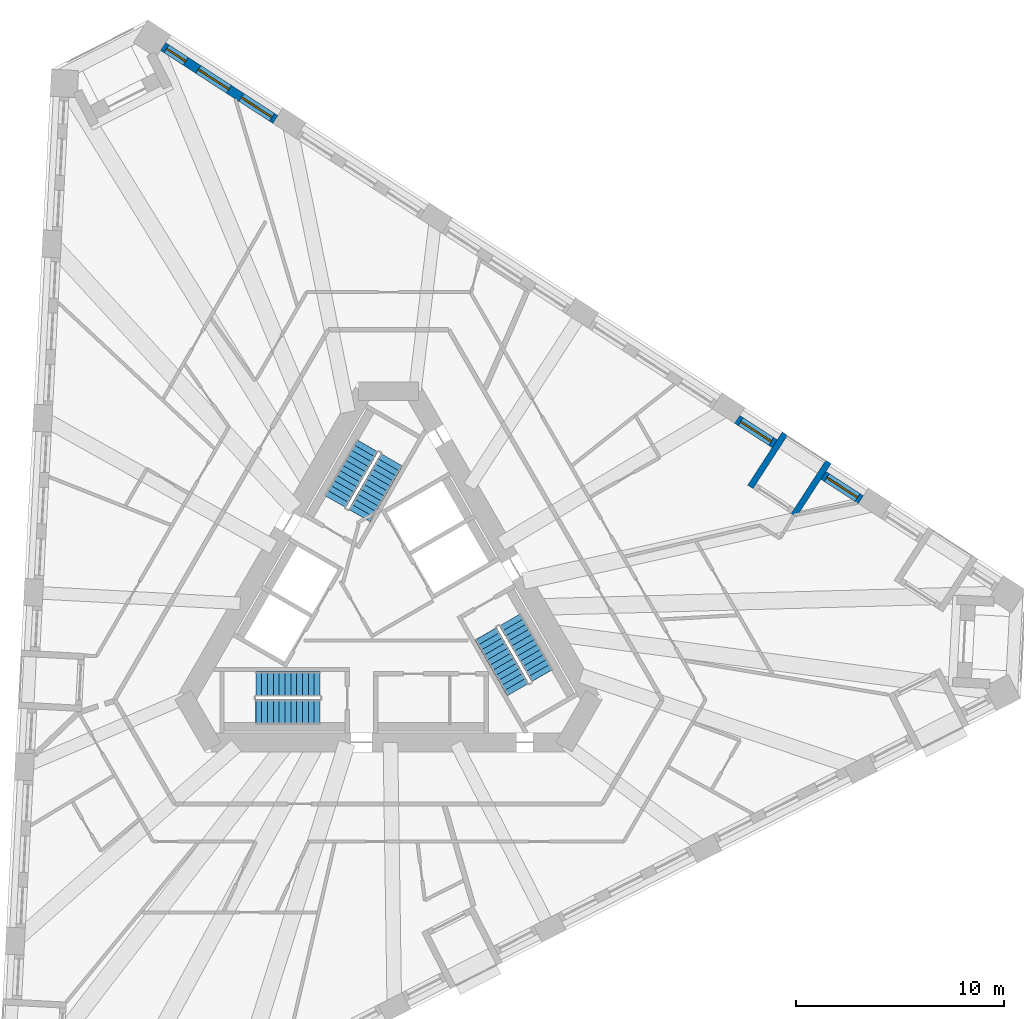
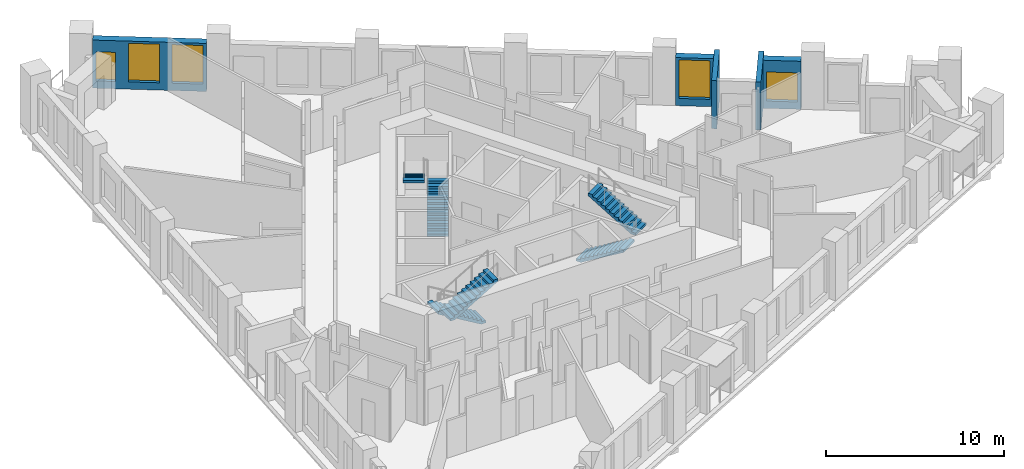
# One storey, part 9 of 13: 6 stair flights, 5 walls, 5 windows, 5 openings, 3 elements without a shape of their own.
"""IFC4 building model written with IfcOpenShell, lengths in metres."""

from ifc_helpers import new_model, si_unit, direction, frame, frame_2d, origin, place, context, subcontext, project, spatial, polyline, rectangle, outline, extrude, material, layer, layer_set, type_object, element, fill, aggregate, save


model = new_model("IFC4")

# Units and contexts
model_context = context("Model", 3, precision=1e-05, world=origin(), true_north=direction((0.0, 1.0)))
body_context = subcontext(model_context, "Body", "Model", "MODEL_VIEW")
ifc_project = project(units=[si_unit("LENGTHUNIT", "METRE"), si_unit("AREAUNIT", "SQUARE_METRE"), si_unit("VOLUMEUNIT", "CUBIC_METRE"), si_unit("PLANEANGLEUNIT", "RADIAN"), si_unit("MASSUNIT", "GRAM", prefix="KILO")], contexts=[model_context])

# Site, building, storey
site_placement = place(None, origin())
site = spatial("IfcSite", under=ifc_project, at=site_placement, CompositionType="ELEMENT")
building_placement = place(site_placement, origin())
building = spatial("IfcBuilding", under=site, at=building_placement, Name="Tramontana Tower", CompositionType="ELEMENT")
storey_placement = place(building_placement, frame((0.0, 0.0, 137.60009765625)))
storey = spatial("IfcBuildingStorey", under=building, at=storey_placement, Name="L31", CompositionType="ELEMENT", Elevation=137.60009765625)

# Wall, opening, window
ifc_material_1 = material(Name="Precast concrete 60 MPa", Category="concrete")
ifc_layer_1 = layer(ifc_material_1, 0.449951171875)
ifc_layer_set_1 = layer_set([ifc_layer_1], Name="Precast concrete 60 MPa, 450 mm")
wall_type_1 = type_object("IfcWallType", Name="EW1 Stone-faced precast wall 450", PredefinedType="SOLIDWALL", material=ifc_layer_set_1)
wall_1_placement = place(storey_placement, frame((22.660400390625, 5.345703125, 0.0), z_axis=(0.0, 0.0, 1.0), x_axis=(-0.838675466927, 0.544631491171, 0.0)))
wall_1 = element("IfcWall", 1, at=wall_1_placement, inside=storey, type_object=wall_type_1, Name="External wall L31 face 2 bay 2", PredefinedType="SOLIDWALL", context=body_context, shape_type="SweptSolid", body=[
    extrude(rectangle(XDim=2.140380859375, YDim=0.449951171875, at=frame_2d((1.0703125, 0.0))), origin(), (0.0, 0.0, 1.0), 3.2998046875),
])
opening_1_placement = place(wall_1_placement, frame((0.1953125, 0.0, 0.5)))
opening_1 = element("IfcOpeningElement", 2, at=opening_1_placement, cuts=wall_1, Name="Opening M2L", PredefinedType="OPENING", context=body_context, shape_type="SweptSolid", body=[
    extrude(rectangle(XDim=1.75, YDim=2.0, at=frame_2d((0.875, 1.0))), frame((0.0, 0.23486328125, 0.0), z_axis=(0.0, -1.0, 0.0), x_axis=(1.0, 0.0, 0.0)), (0.0, 0.0, 1.0), 0.469970703125),
])
ifc_material_2 = material(Name="Aluminum frame, double glazing unit", Category="aluminium")
window_type_1 = type_object("IfcWindowType", Name="M2L Window 1.75 x 2", PartitioningType="SINGLE_PANEL", PredefinedType="WINDOW", material=ifc_material_2)
window_1_placement = place(opening_1_placement, origin())
window_1 = element("IfcWindow", 3, at=window_1_placement, inside=storey, type_object=window_type_1, Name="Window M2L L31 face 2 module 4", OverallHeight=2.0, OverallWidth=1.75, PartitioningType="SINGLE_PANEL", PredefinedType="WINDOW", context=body_context, shape_type="SweptSolid", body=[
    extrude(rectangle(XDim=1.75, YDim=2.0, at=frame_2d((0.875, 1.0))), frame((0.0, 0.030029296875, 0.0), z_axis=(0.0, -1.0, 0.0), x_axis=(1.0, 0.0, 0.0)), (0.0, 0.0, 1.0), 0.06005859375),
])
fill(opening_1, window_1)

wall_2_placement = place(storey_placement, frame((18.52490234375, 8.03125, 0.0), z_axis=(0.0, 0.0, 1.0), x_axis=(-0.838675466927, 0.544631491171, 0.0)))
wall_2 = element("IfcWall", 4, at=wall_2_placement, inside=storey, type_object=wall_type_1, Name="External wall L31 face 2 bay 2", PredefinedType="SOLIDWALL", context=body_context, shape_type="SweptSolid", body=[
    extrude(rectangle(XDim=2.140380859375, YDim=0.449951171875, at=frame_2d((1.0703125, 0.0))), origin(), (0.0, 0.0, 1.0), 3.2998046875),
])
opening_2_placement = place(wall_2_placement, frame((0.1953125, 0.0, 0.5)))
opening_2 = element("IfcOpeningElement", 5, at=opening_2_placement, cuts=wall_2, Name="Opening M2", PredefinedType="OPENING", context=body_context, shape_type="SweptSolid", body=[
    extrude(rectangle(XDim=1.75, YDim=2.64990234375, at=frame_2d((0.875, 1.324951171875))), frame((0.0, 0.23486328125, 0.0), z_axis=(0.0, -1.0, 0.0), x_axis=(1.0, 0.0, 0.0)), (0.0, 0.0, 1.0), 0.469970703125),
])
ifc_material_3 = material(Name="Aluminum frame, double glazing unit", Category="aluminium")
window_type_2 = type_object("IfcWindowType", Name="M2 Window 1.75 x 2.65", PartitioningType="SINGLE_PANEL", PredefinedType="WINDOW", material=ifc_material_3)
window_2_placement = place(opening_2_placement, origin())
window_2 = element("IfcWindow", 6, at=window_2_placement, inside=storey, type_object=window_type_2, Name="Window M2 L31 face 2 module 6", OverallHeight=2.64990234375, OverallWidth=1.75, PartitioningType="SINGLE_PANEL", PredefinedType="WINDOW", context=body_context, shape_type="SweptSolid", body=[
    extrude(rectangle(XDim=1.75, YDim=2.64990234375, at=frame_2d((0.875, 1.324951171875))), frame((0.0, 0.030029296875, 0.0), z_axis=(0.0, -1.0, 0.0), x_axis=(1.0, 0.0, 0.0)), (0.0, 0.0, 1.0), 0.06005859375),
])
fill(opening_2, window_2)

# Wall, openings, windows
wall_3_placement = place(storey_placement, frame((-5.423583984375, 23.583740234375, 0.0), z_axis=(0.0, 0.0, 1.0), x_axis=(-0.838675466927, 0.544631491171, 0.0)))
wall_3 = element("IfcWall", 7, at=wall_3_placement, inside=storey, type_object=wall_type_1, Name="External wall L31 face 2 bay 6", PredefinedType="SOLIDWALL", context=body_context, shape_type="SweptSolid", body=[
    extrude(rectangle(XDim=6.42138671875, YDim=0.449951171875, at=frame_2d((3.210693359375, 0.0))), origin(), (0.0, 0.0, 1.0), 3.2998046875),
])
opening_3_placement = place(wall_3_placement, frame((0.1953125, 0.0, 0.5)))
opening_3 = element("IfcOpeningElement", 8, at=opening_3_placement, cuts=wall_3, Name="Opening M2", PredefinedType="OPENING", context=body_context, shape_type="SweptSolid", body=[
    extrude(rectangle(XDim=1.75, YDim=2.64990234375, at=frame_2d((0.875, 1.324951171875))), frame((0.0, 0.23486328125, 0.0), z_axis=(0.0, -1.0, 0.0), x_axis=(1.0, 0.0, 0.0)), (0.0, 0.0, 1.0), 0.469970703125),
])
opening_4_placement = place(wall_3_placement, frame((2.660888671875, 0.0, 0.5)))
opening_4 = element("IfcOpeningElement", 9, at=opening_4_placement, cuts=wall_3, Name="Opening M2", PredefinedType="OPENING", context=body_context, shape_type="SweptSolid", body=[
    extrude(rectangle(XDim=1.75, YDim=2.64990234375, at=frame_2d((0.875, 1.324951171875))), frame((0.0, 0.23486328125, 0.0), z_axis=(0.0, -1.0, 0.0), x_axis=(1.0, 0.0, 0.0)), (0.0, 0.0, 1.0), 0.469970703125),
])
opening_5_placement = place(wall_3_placement, frame((5.126220703125, 0.0, 0.5)))
opening_5 = element("IfcOpeningElement", 10, at=opening_5_placement, cuts=wall_3, Name="Opening N2L", PredefinedType="OPENING", context=body_context, shape_type="SweptSolid", body=[
    extrude(rectangle(XDim=1.10009765625, YDim=2.0, at=frame_2d((0.550048828125, 1.0))), frame((0.0, 0.23486328125, 0.0), z_axis=(0.0, -1.0, 0.0), x_axis=(1.0, 0.0, 0.0)), (0.0, 0.0, 1.0), 0.469970703125),
])
window_3_placement = place(opening_3_placement, origin())
window_3 = element("IfcWindow", 11, at=window_3_placement, inside=storey, type_object=window_type_2, Name="Window M2 L31 face 2 module 16", OverallHeight=2.64990234375, OverallWidth=1.75, PartitioningType="SINGLE_PANEL", PredefinedType="WINDOW", context=body_context, shape_type="SweptSolid", body=[
    extrude(rectangle(XDim=1.75, YDim=2.64990234375, at=frame_2d((0.875, 1.324951171875))), frame((0.0, 0.030029296875, 0.0), z_axis=(0.0, -1.0, 0.0), x_axis=(1.0, 0.0, 0.0)), (0.0, 0.0, 1.0), 0.06005859375),
])
fill(opening_3, window_3)
window_4_placement = place(opening_4_placement, origin())
window_4 = element("IfcWindow", 12, at=window_4_placement, inside=storey, type_object=window_type_2, Name="Window M2 L31 face 2 module 17", OverallHeight=2.64990234375, OverallWidth=1.75, PartitioningType="SINGLE_PANEL", PredefinedType="WINDOW", context=body_context, shape_type="SweptSolid", body=[
    extrude(rectangle(XDim=1.75, YDim=2.64990234375, at=frame_2d((0.875, 1.324951171875))), frame((0.0, 0.030029296875, 0.0), z_axis=(0.0, -1.0, 0.0), x_axis=(1.0, 0.0, 0.0)), (0.0, 0.0, 1.0), 0.06005859375),
])
fill(opening_4, window_4)
ifc_material_4 = material(Name="Aluminum frame, double glazing unit", Category="aluminium")
window_type_3 = type_object("IfcWindowType", Name="N2L Window 1.1 x 2", PartitioningType="SINGLE_PANEL", PredefinedType="WINDOW", material=ifc_material_4)
window_5_placement = place(opening_5_placement, origin())
window_5 = element("IfcWindow", 13, at=window_5_placement, inside=storey, type_object=window_type_3, Name="Window N2L L31 face 2 module 18", OverallHeight=2.0, OverallWidth=1.10009765625, PartitioningType="SINGLE_PANEL", PredefinedType="WINDOW", context=body_context, shape_type="SweptSolid", body=[
    extrude(rectangle(XDim=1.10009765625, YDim=2.0, at=frame_2d((0.550048828125, 1.0))), frame((0.0, 0.030029296875, 0.0), z_axis=(0.0, -1.0, 0.0), x_axis=(1.0, 0.0, 0.0)), (0.0, 0.0, 1.0), 0.06005859375),
])
fill(opening_5, window_5)

# Walls
ifc_material_5 = material(Name="Precast concrete 60 MPa", Category="concrete")
ifc_layer_2 = layer(ifc_material_5, 0.300048828125)
ifc_layer_set_2 = layer_set([ifc_layer_2], Name="LW1 Stone-faced loggia wall 300")
wall_type_2 = type_object("IfcWallType", Name="LW1 Stone-faced loggia wall 300", PredefinedType="SOLIDWALL", material=ifc_layer_set_2)
for number, where, z_axis, x_axis, name in (
    (14, (21.10693359375, 7.1591796875, 0.0), (0.0, 0.0, 1.0), (-0.544647854685, -0.838664840319, 0.0), "Loggia return L31 G3S2.4a"),
    (15, (19.018310546875, 8.515625, 0.0), (0.0, 0.0, 1.0), (-0.544647854685, -0.838664840319, 0.0), "Loggia return L31 G3S2.4b"),
):
    element("IfcWall", number, at=place(storey_placement, frame(where, z_axis=z_axis, x_axis=x_axis)), inside=storey, type_object=wall_type_2, Name=name, PredefinedType="SOLIDWALL", context=body_context, shape_type="SweptSolid", body=[
        extrude(rectangle(XDim=3.0498046875, YDim=0.300048828125, at=frame_2d((1.52490234375, 0.0))), origin(), (0.0, 0.0, 1.0), 3.2998046875),
    ])

# Stair, stair flights
ifc_material_6 = material(Name="Concrete 40 MPa", Category="concrete")
stair_type = type_object("IfcStairType", Name="EXIT STAIR 24 RISERS", PredefinedType="HALF_TURN_STAIR", material=ifc_material_6)
stair_1_placement = place(storey_placement, origin())
stair_1 = element("IfcStair", 16, at=stair_1_placement, inside=storey, type_object=stair_type, Name="L31 Exit stair ST1", PredefinedType="HALF_TURN_STAIR")
ifc_material_7 = material(Name="Concrete 40 MPa", Category="concrete")
ifc_layer_3 = layer(ifc_material_7, 0.14990234375)
ifc_layer_set_3 = layer_set([ifc_layer_3], Name="EXIT STAIR FLIGHT")
stair_flight_type = type_object("IfcStairFlightType", Name="EXIT STAIR FLIGHT", PredefinedType="STRAIGHT", material=ifc_layer_set_3)
stair_flight_1_placement = place(storey_placement, frame((-1.39111328125, 4.590576171875, 0.0), z_axis=(0.0, 0.0, 1.0), x_axis=(0.5, 0.866025403784, 0.0)))
stair_flight_1 = element("IfcStairFlight", 17, at=stair_flight_1_placement, type_object=stair_flight_type, Name="ST1 flight 1", NumberOfRisers=12, NumberOfTreads=11, PredefinedType="STRAIGHT", RiserHeight=0.166666667, TreadLength=0.28, context=body_context, shape_type="SweptSolid", body=[
    extrude(outline(polyline([(-0.006103515625, 0.0), (-0.006103515625, 0.0400390625), (0.0, 0.0400390625), (0.0, 0.166748046875), (0.280029296875, 0.166748046875), (0.280029296875, 0.333251953125), (0.56005859375, 0.333251953125), (0.56005859375, 0.5), (0.840087890625, 0.5), (0.840087890625, 0.666748046875), (1.1201171875, 0.666748046875), (1.1201171875, 0.833251953125), (1.39990234375, 0.833251953125), (1.39990234375, 1.0), (1.679931640625, 1.0), (1.679931640625, 1.166748046875), (1.9599609375, 1.166748046875), (1.9599609375, 1.333251953125), (2.239990234375, 1.333251953125), (2.239990234375, 1.5), (2.52001953125, 1.5), (2.52001953125, 1.666748046875), (2.800048828125, 1.666748046875), (2.800048828125, 1.833251953125), (3.080078125, 1.833251953125), (3.0859375, 1.833251953125), (3.0859375, 1.658935546875), (0.299072265625, 0.0), (-0.006103515625, 0.0)])), frame((0.0, 0.60009765625, 0.0), z_axis=(0.0, -1.0, 0.0), x_axis=(1.0, 0.0, 0.0)), (0.0, 0.0, 1.0), 1.199951171875),
])
stair_flight_2_placement = place(storey_placement, frame((-1.020263671875, 7.932861328125, 2.0), z_axis=(0.0, 0.0, 1.0), x_axis=(-0.5, -0.866025403784, 0.0)))
stair_flight_2 = element("IfcStairFlight", 18, at=stair_flight_2_placement, type_object=stair_flight_type, Name="ST1 flight 2", NumberOfRisers=12, NumberOfTreads=11, PredefinedType="STRAIGHT", RiserHeight=0.166666667, TreadLength=0.28, context=body_context, shape_type="SweptSolid", body=[
    extrude(outline(polyline([(-0.006103515625, 0.0), (-0.006103515625, 0.0400390625), (0.0, 0.0400390625), (0.0, 0.166748046875), (0.280029296875, 0.166748046875), (0.280029296875, 0.333251953125), (0.56005859375, 0.333251953125), (0.56005859375, 0.5), (0.840087890625, 0.5), (0.840087890625, 0.666748046875), (1.1201171875, 0.666748046875), (1.1201171875, 0.833251953125), (1.39990234375, 0.833251953125), (1.39990234375, 1.0), (1.679931640625, 1.0), (1.679931640625, 1.166748046875), (1.9599609375, 1.166748046875), (1.9599609375, 1.333251953125), (2.239990234375, 1.333251953125), (2.239990234375, 1.5), (2.52001953125, 1.5), (2.52001953125, 1.666748046875), (2.800048828125, 1.666748046875), (2.800048828125, 1.833251953125), (3.080078125, 1.833251953125), (3.0859375, 1.833251953125), (3.0859375, 1.658935546875), (0.299072265625, 0.0), (-0.006103515625, 0.0)])), frame((0.0, 0.60009765625, 0.0), z_axis=(0.0, -1.0, 0.0), x_axis=(1.0, 0.0, 0.0)), (0.0, 0.0, 1.0), 1.199951171875),
])
aggregate(stair_1, [stair_flight_1, stair_flight_2])

stair_2_placement = place(storey_placement, origin())
stair_2 = element("IfcStair", 19, at=stair_2_placement, inside=storey, type_object=stair_type, Name="L31 Exit stair ST2", PredefinedType="HALF_TURN_STAIR")
stair_flight_3_placement = place(storey_placement, frame((-3.280029296875, -3.5, 0.0), z_axis=(0.0, 0.0, 1.0), x_axis=(-1.0, 0.0, 0.0)))
stair_flight_3 = element("IfcStairFlight", 20, at=stair_flight_3_placement, type_object=stair_flight_type, Name="ST2 flight 1", NumberOfRisers=12, NumberOfTreads=11, PredefinedType="STRAIGHT", RiserHeight=0.166666667, TreadLength=0.28, context=body_context, shape_type="SweptSolid", body=[
    extrude(outline(polyline([(-0.006103515625, 0.0), (-0.006103515625, 0.0400390625), (0.0, 0.0400390625), (0.0, 0.166748046875), (0.280029296875, 0.166748046875), (0.280029296875, 0.333251953125), (0.56005859375, 0.333251953125), (0.56005859375, 0.5), (0.840087890625, 0.5), (0.840087890625, 0.666748046875), (1.1201171875, 0.666748046875), (1.1201171875, 0.833251953125), (1.39990234375, 0.833251953125), (1.39990234375, 1.0), (1.679931640625, 1.0), (1.679931640625, 1.166748046875), (1.9599609375, 1.166748046875), (1.9599609375, 1.333251953125), (2.239990234375, 1.333251953125), (2.239990234375, 1.5), (2.52001953125, 1.5), (2.52001953125, 1.666748046875), (2.800048828125, 1.666748046875), (2.800048828125, 1.833251953125), (3.080078125, 1.833251953125), (3.0859375, 1.833251953125), (3.0859375, 1.658935546875), (0.299072265625, 0.0), (-0.006103515625, 0.0)])), frame((0.0, 0.60009765625, 0.0), z_axis=(0.0, -1.0, 0.0), x_axis=(1.0, 0.0, 0.0)), (0.0, 0.0, 1.0), 1.199951171875),
])
stair_flight_4_placement = place(storey_placement, frame((-6.360107421875, -4.85009765625, 2.0), z_axis=(0.0, 0.0, 1.0), x_axis=(1.0, 0.0, 0.0)))
stair_flight_4 = element("IfcStairFlight", 21, at=stair_flight_4_placement, type_object=stair_flight_type, Name="ST2 flight 2", NumberOfRisers=12, NumberOfTreads=11, PredefinedType="STRAIGHT", RiserHeight=0.166666667, TreadLength=0.28, context=body_context, shape_type="SweptSolid", body=[
    extrude(outline(polyline([(-0.006103515625, 0.0), (-0.006103515625, 0.0400390625), (0.0, 0.0400390625), (0.0, 0.166748046875), (0.280029296875, 0.166748046875), (0.280029296875, 0.333251953125), (0.56005859375, 0.333251953125), (0.56005859375, 0.5), (0.840087890625, 0.5), (0.840087890625, 0.666748046875), (1.1201171875, 0.666748046875), (1.1201171875, 0.833251953125), (1.39990234375, 0.833251953125), (1.39990234375, 1.0), (1.679931640625, 1.0), (1.679931640625, 1.166748046875), (1.9599609375, 1.166748046875), (1.9599609375, 1.333251953125), (2.239990234375, 1.333251953125), (2.239990234375, 1.5), (2.52001953125, 1.5), (2.52001953125, 1.666748046875), (2.800048828125, 1.666748046875), (2.800048828125, 1.833251953125), (3.080078125, 1.833251953125), (3.0859375, 1.833251953125), (3.0859375, 1.658935546875), (0.299072265625, 0.0), (-0.006103515625, 0.0)])), frame((0.0, 0.60009765625, 0.0), z_axis=(0.0, -1.0, 0.0), x_axis=(1.0, 0.0, 0.0)), (0.0, 0.0, 1.0), 1.199951171875),
])
aggregate(stair_2, [stair_flight_3, stair_flight_4])

stair_3_placement = place(storey_placement, origin())
stair_3 = element("IfcStair", 22, at=stair_3_placement, inside=storey, type_object=stair_type, Name="L31 Exit stair ST3", PredefinedType="HALF_TURN_STAIR")
stair_flight_5_placement = place(storey_placement, frame((4.671142578125, -1.090576171875, 0.0), z_axis=(0.0, 0.0, 1.0), x_axis=(0.5, -0.866025403784, 0.0)))
stair_flight_5 = element("IfcStairFlight", 23, at=stair_flight_5_placement, type_object=stair_flight_type, Name="ST3 flight 1", NumberOfRisers=12, NumberOfTreads=11, PredefinedType="STRAIGHT", RiserHeight=0.166666667, TreadLength=0.28, context=body_context, shape_type="SweptSolid", body=[
    extrude(outline(polyline([(-0.006103515625, 0.0), (-0.006103515625, 0.0400390625), (0.0, 0.0400390625), (0.0, 0.166748046875), (0.280029296875, 0.166748046875), (0.280029296875, 0.333251953125), (0.56005859375, 0.333251953125), (0.56005859375, 0.5), (0.840087890625, 0.5), (0.840087890625, 0.666748046875), (1.1201171875, 0.666748046875), (1.1201171875, 0.833251953125), (1.39990234375, 0.833251953125), (1.39990234375, 1.0), (1.679931640625, 1.0), (1.679931640625, 1.166748046875), (1.9599609375, 1.166748046875), (1.9599609375, 1.333251953125), (2.239990234375, 1.333251953125), (2.239990234375, 1.5), (2.52001953125, 1.5), (2.52001953125, 1.666748046875), (2.800048828125, 1.666748046875), (2.800048828125, 1.833251953125), (3.080078125, 1.833251953125), (3.0859375, 1.833251953125), (3.0859375, 1.658935546875), (0.299072265625, 0.0), (-0.006103515625, 0.0)])), frame((0.0, 0.60009765625, 0.0), z_axis=(0.0, -1.0, 0.0), x_axis=(1.0, 0.0, 0.0)), (0.0, 0.0, 1.0), 1.199951171875),
])
stair_flight_6_placement = place(storey_placement, frame((7.380126953125, -3.0830078125, 2.0), z_axis=(0.0, 0.0, 1.0), x_axis=(-0.5, 0.866025403784, 0.0)))
stair_flight_6 = element("IfcStairFlight", 24, at=stair_flight_6_placement, type_object=stair_flight_type, Name="ST3 flight 2", NumberOfRisers=12, NumberOfTreads=11, PredefinedType="STRAIGHT", RiserHeight=0.166666667, TreadLength=0.28, context=body_context, shape_type="SweptSolid", body=[
    extrude(outline(polyline([(-0.006103515625, 0.0), (-0.006103515625, 0.0400390625), (0.0, 0.0400390625), (0.0, 0.166748046875), (0.280029296875, 0.166748046875), (0.280029296875, 0.333251953125), (0.56005859375, 0.333251953125), (0.56005859375, 0.5), (0.840087890625, 0.5), (0.840087890625, 0.666748046875), (1.1201171875, 0.666748046875), (1.1201171875, 0.833251953125), (1.39990234375, 0.833251953125), (1.39990234375, 1.0), (1.679931640625, 1.0), (1.679931640625, 1.166748046875), (1.9599609375, 1.166748046875), (1.9599609375, 1.333251953125), (2.239990234375, 1.333251953125), (2.239990234375, 1.5), (2.52001953125, 1.5), (2.52001953125, 1.666748046875), (2.800048828125, 1.666748046875), (2.800048828125, 1.833251953125), (3.080078125, 1.833251953125), (3.0859375, 1.833251953125), (3.0859375, 1.658935546875), (0.299072265625, 0.0), (-0.006103515625, 0.0)])), frame((0.0, 0.60009765625, 0.0), z_axis=(0.0, -1.0, 0.0), x_axis=(1.0, 0.0, 0.0)), (0.0, 0.0, 1.0), 1.199951171875),
])
aggregate(stair_3, [stair_flight_5, stair_flight_6])

save(model, "model.ifc")
